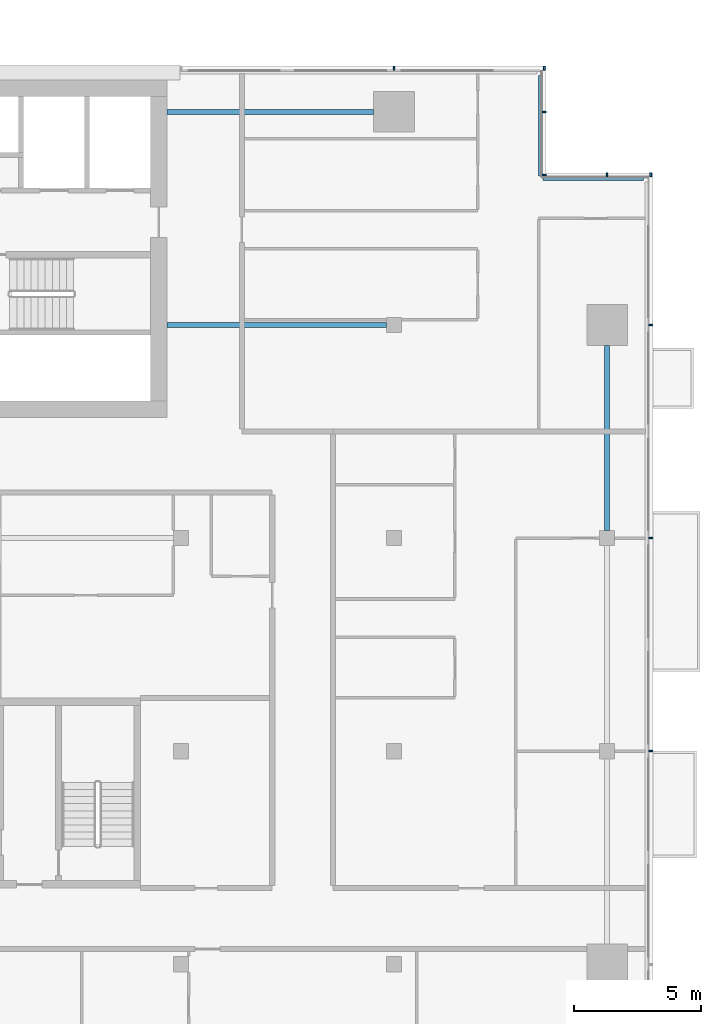
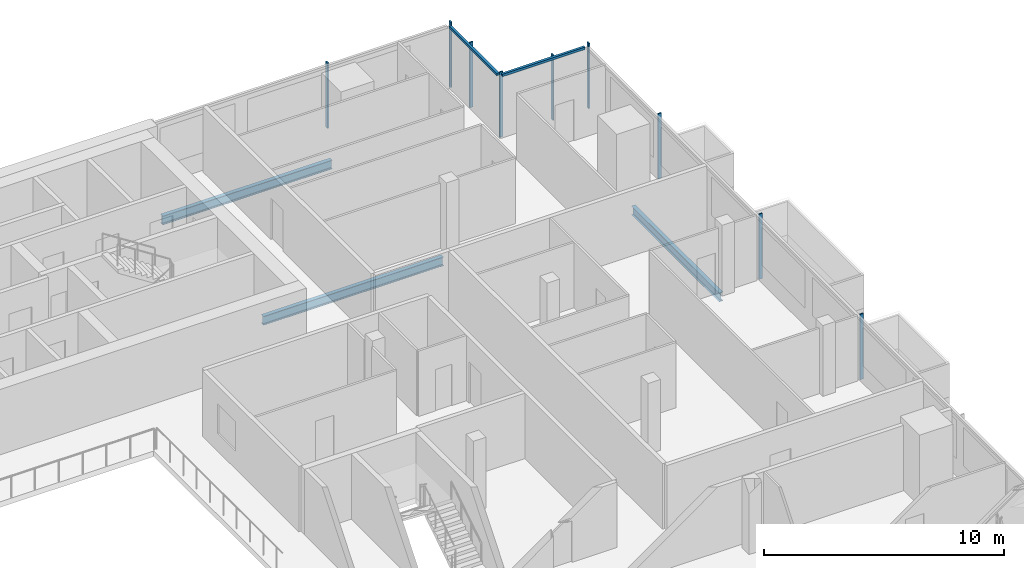
# One storey, part 13 of 30: 11 members, 3 beams, 4 elements without a shape of their own.
"""IFC4 building model written with IfcOpenShell, lengths in metres."""

import ifcopenshell
import ifcopenshell.guid

model = None  # the IFC model being written
_history = None  # IfcOwnerHistory: only IFC2X3 demands one
_inside = {}  # id of a spatial element -> (the spatial element, [elements in it])
_under = {}  # id of a project, library or spatial element -> (it, [spatial elements below it])
_declared = {}  # id of a project -> (the project, [libraries it declares])
_typed = {}  # id of a type object -> (the type object, [elements of that type])
_made_of = {}  # id of a material, layer set ... -> (it, [elements and type objects made of it])


def new_model(schema):
    """Start an empty IFC model of exactly this schema.

    Asked for "IFC4X3", IfcOpenShell would pick the latest addendum, in which some entities
    have other attributes; the version numbers below select the first issue.
    IFC2X3 requires an IfcOwnerHistory on every rooted entity: one is made here for all.
    """
    global model, _history
    if schema == "IFC4X3":
        model = ifcopenshell.file(schema_version=(4, 3, 0, 0))
    else:
        model = ifcopenshell.file(schema=schema)
    _inside.clear()
    _under.clear()
    _declared.clear()
    _typed.clear()
    _made_of.clear()
    _history = None
    if model.schema == "IFC2X3":
        org = make("IfcOrganization", Name="unknown")
        user = make(
            "IfcPersonAndOrganization",
            ThePerson=make("IfcPerson", FamilyName="unknown"),
            TheOrganization=org,
        )
        app = make(
            "IfcApplication",
            ApplicationDeveloper=org,
            Version="unknown",
            ApplicationFullName="unknown",
            ApplicationIdentifier="unknown",
        )
        _history = make(
            "IfcOwnerHistory",
            OwningUser=user,
            OwningApplication=app,
            ChangeAction="ADDED",
            CreationDate=0,
        )
    return model


def make(cls, **values):
    """One entity of the class cls with the attributes given. An attribute that is None is left unset."""
    return model.create_entity(
        cls, **{name: value for name, value in values.items() if value is not None}
    )


def rooted(cls, **values):
    """An entity with a GlobalId (a new one), such as an element, a storey or a relation."""
    return make(cls, GlobalId=ifcopenshell.guid.new(), OwnerHistory=_history, **values)


def si_unit(unit_type, name, prefix=None):
    """IfcSIUnit, for example si_unit("LENGTHUNIT", "METRE", prefix="MILLI")."""
    return make("IfcSIUnit", UnitType=unit_type, Prefix=prefix, Name=name)


def assignment(units):
    """IfcUnitAssignment: the units of a project."""
    return None if units is None else make("IfcUnitAssignment", Units=units)


def point(xyz):
    """IfcCartesianPoint."""
    return None if xyz is None else make("IfcCartesianPoint", Coordinates=xyz)


def direction(xyz):
    """IfcDirection."""
    return None if xyz is None else make("IfcDirection", DirectionRatios=xyz)


def frame(location, z_axis=None, x_axis=None):
    """IfcAxis2Placement3D, a coordinate frame: its origin and axes. An axis left out is left unset."""
    return make(
        "IfcAxis2Placement3D",
        Location=point(location),
        Axis=direction(z_axis),
        RefDirection=direction(x_axis),
    )


def frame_2d(location, x_axis=None):
    """IfcAxis2Placement2D, a coordinate frame in the plane: its origin and x axis."""
    return make(
        "IfcAxis2Placement2D", Location=point(location), RefDirection=direction(x_axis)
    )


def origin():
    """The frame at (0, 0, 0) with its axes left unset."""
    return frame((0.0, 0.0, 0.0))


def origin_2d():
    """The frame at (0, 0) in the plane with its x axis left unset."""
    return frame_2d((0.0, 0.0))


def place(relative_to, where):
    """IfcLocalPlacement: puts the frame where relative to a parent placement (None: the world)."""
    return make(
        "IfcLocalPlacement", PlacementRelTo=relative_to, RelativePlacement=where
    )


def context(
    kind, dimensions, precision=None, world=None, true_north=None, identifier=None
):
    """IfcGeometricRepresentationContext, for example the 3D "Model" context."""
    return make(
        "IfcGeometricRepresentationContext",
        ContextIdentifier=identifier,
        ContextType=kind,
        CoordinateSpaceDimension=dimensions,
        Precision=precision,
        WorldCoordinateSystem=world,
        TrueNorth=true_north,
    )


def subcontext(parent, identifier, kind, view, scale=None):
    """IfcGeometricRepresentationSubContext, for example "Body" below "Model"."""
    return make(
        "IfcGeometricRepresentationSubContext",
        ContextIdentifier=identifier,
        ContextType=kind,
        ParentContext=parent,
        TargetScale=scale,
        TargetView=view,
    )


def project(units=None, contexts=None):
    """IfcProject with its units and contexts."""
    return rooted(
        "IfcProject",
        Name="project",
        RepresentationContexts=contexts,
        UnitsInContext=assignment(units),
    )


def spatial(cls, under=None, at=None, **own):
    """A site, building, storey or space (cls), placed at a placement, below another one or the project."""
    s = rooted(cls, ObjectPlacement=at, **own)
    if under is not None:
        _under.setdefault(under.id(), (under, []))[1].append(s)
    return s


def profile(cls, at=None, kind="AREA", **sizes):
    """A parametric profile (cls). Its sizes go by their IFC names, for example OverallWidth=200.0."""
    return make(cls, ProfileType=kind, Position=at, **sizes)


def rectangle(**sizes):
    """IfcRectangleProfileDef."""
    return profile("IfcRectangleProfileDef", **sizes)


def i_section(**sizes):
    """IfcIShapeProfileDef."""
    return profile("IfcIShapeProfileDef", **sizes)


def extrude(swept, where, along, depth):
    """IfcExtrudedAreaSolid: the profile swept, set in the frame where, extruded along a direction by depth."""
    return make(
        "IfcExtrudedAreaSolid",
        SweptArea=swept,
        Position=where,
        ExtrudedDirection=direction(along),
        Depth=depth,
    )


def shape(context_of_items, identifier, shape_type, items):
    """IfcShapeRepresentation: the items that make up one representation, for example the "Body"."""
    return make(
        "IfcShapeRepresentation",
        ContextOfItems=context_of_items,
        RepresentationIdentifier=identifier,
        RepresentationType=shape_type,
        Items=items,
    )


def material(Name=None, Category=None):
    """IfcMaterial."""
    return make("IfcMaterial", Name=Name, Category=Category)


def material_profile(
    of_material, cross_section, Name=None, Category=None, Priority=None
):
    """IfcMaterialProfile: a cross section and its material."""
    return make(
        "IfcMaterialProfile",
        Name=Name,
        Material=of_material,
        Profile=cross_section,
        Priority=Priority,
        Category=Category,
    )


def profile_set(profiles, Name=None, composite=None):
    """IfcMaterialProfileSet."""
    return make(
        "IfcMaterialProfileSet",
        Name=Name,
        MaterialProfiles=profiles,
        CompositeProfile=composite,
    )


def made_of(thing, what):
    """Note that an element or type object is made of a material, layer set ...; save() writes the relation."""
    if what is not None:
        _made_of.setdefault(what.id(), (what, []))[1].append(thing)
    return thing


def type_object(cls, material=None, **own):
    """A type object (cls), such as IfcWallType, which elements share."""
    return made_of(rooted(cls, **own), material)


def element(
    cls,
    number,
    at=None,
    inside=None,
    cuts=None,
    type_object=None,
    material=None,
    context=None,
    identifier="Body",
    shape_type=None,
    held_by="IfcProductDefinitionShape",
    body=None,
    shapes=None,
    **own,
):
    """One element of the class cls, such as IfcWall. Its Tag is "e" and its number.

    at: its placement. inside: the storey or other place that contains it. cuts: it is an
    opening in that element (IfcRelVoidsElement). A single representation is given by context,
    identifier, shape_type and body (its items); several are given by shapes. held_by: the class
    of the entity that holds the representations. save() writes the other relations.
    """
    e = rooted(cls, Tag="e%d" % number, ObjectPlacement=at, **own)
    if body is not None:
        shapes = [shape(context, identifier, shape_type, body)]
    if shapes is not None:
        e.Representation = make(held_by, Representations=shapes)
    if inside is not None:
        _inside.setdefault(inside.id(), (inside, []))[1].append(e)
    if cuts is not None:
        rooted(
            "IfcRelVoidsElement", RelatingBuildingElement=cuts, RelatedOpeningElement=e
        )
    if type_object is not None:
        _typed.setdefault(type_object.id(), (type_object, []))[1].append(e)
    return made_of(e, material)


def aggregate(whole, parts):
    """IfcRelAggregates: a whole, such as a stair, and the parts it consists of."""
    return rooted("IfcRelAggregates", RelatingObject=whole, RelatedObjects=parts)


def save(model, path):
    """Write the relations noted so far, then the file.

    IfcRelAggregates (storeys below a building ...), IfcRelContainedInSpatialStructure (elements
    in a storey), IfcRelDefinesByType, IfcRelAssociatesMaterial and IfcRelDeclares: one each for
    every whole, place, type object, material and project.
    """
    for whole, parts in _under.values():
        aggregate(whole, parts)
    for where, things in _inside.values():
        rooted(
            "IfcRelContainedInSpatialStructure",
            RelatedElements=things,
            RelatingStructure=where,
        )
    for kind, things in _typed.values():
        rooted("IfcRelDefinesByType", RelatedObjects=things, RelatingType=kind)
    for what, things in _made_of.values():
        rooted("IfcRelAssociatesMaterial", RelatedObjects=things, RelatingMaterial=what)
    for by, libraries in _declared.values():
        rooted("IfcRelDeclares", RelatingContext=by, RelatedDefinitions=libraries)
    model.write(path)


model = new_model("IFC4")

# Units and contexts
model_context = context("Model", 3, precision=1e-05, world=origin(), true_north=direction((0.0, 1.0)))
body_context = subcontext(model_context, "Body", "Model", "MODEL_VIEW")
ifc_project = project(units=[si_unit("LENGTHUNIT", "METRE"), si_unit("AREAUNIT", "SQUARE_METRE"), si_unit("VOLUMEUNIT", "CUBIC_METRE"), si_unit("PLANEANGLEUNIT", "RADIAN"), si_unit("MASSUNIT", "GRAM", prefix="KILO")], contexts=[model_context])

# Site, building, storey
site_placement = place(None, origin())
site = spatial("IfcSite", under=ifc_project, at=site_placement, CompositionType="ELEMENT")
building_placement = place(site_placement, origin())
building = spatial("IfcBuilding", under=site, at=building_placement, Name="Saffron Gate Tower", CompositionType="ELEMENT")
storey_placement = place(building_placement, frame((0.0, 0.0, 216.300048828125)))
storey = spatial("IfcBuildingStorey", under=building, at=storey_placement, Name="L52", CompositionType="ELEMENT", Elevation=216.300048828125)

# Beams
ifc_material_1 = material(Name="Structural steel S355", Category="steel")
ifc_material_profile_1 = material_profile(ifc_material_1, i_section(OverallWidth=0.18994140625, OverallDepth=0.449951171875, WebThickness=0.009521484375, FlangeThickness=0.0146484375, FilletRadius=0.02099609375, at=origin_2d()))
ifc_profile_set_1 = profile_set([ifc_material_profile_1], Name="Structural steel S355")
beam_type_1 = type_object("IfcBeamType", Name="B6 IPE 450", PredefinedType="BEAM", material=ifc_profile_set_1)
beam_1_placement = place(storey_placement, frame((116.699951171875, 65.39990234375, -0.505126953125), z_axis=(-1.0, 0.0, 0.0), x_axis=(0.0, -1.0, 0.0)))
element("IfcBeam", 1, at=beam_1_placement, inside=storey, type_object=beam_type_1, Name="B6 CORE TIE BEAM", PredefinedType="BEAM", context=body_context, shape_type="SweptSolid", body=[
    extrude(i_section(OverallWidth=0.18994140625, OverallDepth=0.449951171875, WebThickness=0.009521484375, FlangeThickness=0.0146484375, FilletRadius=0.02099609375, at=origin_2d()), origin(), (0.0, 0.0, 1.0), 8.64990234375),
])
beam_2_placement = place(storey_placement, frame((116.199951171875, 73.800048828125, -0.505126953125), z_axis=(-1.0, 0.0, 0.0), x_axis=(0.0, -1.0, 0.0)))
element("IfcBeam", 2, at=beam_2_placement, inside=storey, type_object=beam_type_1, Name="B6 CORE TIE BEAM", PredefinedType="BEAM", context=body_context, shape_type="SweptSolid", body=[
    extrude(i_section(OverallWidth=0.18994140625, OverallDepth=0.449951171875, WebThickness=0.009521484375, FlangeThickness=0.0146484375, FilletRadius=0.02099609375, at=origin_2d()), origin(), (0.0, 0.0, 1.0), 8.14990234375),
])
ifc_material_profile_2 = material_profile(ifc_material_1, i_section(OverallWidth=0.18994140625, OverallDepth=0.449951171875, WebThickness=0.009521484375, FlangeThickness=0.0146484375, FilletRadius=0.02099609375, at=origin_2d()))
ifc_profile_set_2 = profile_set([ifc_material_profile_2], Name="Structural steel S355")
beam_type_2 = type_object("IfcBeamType", Name="B7 IPE 450", PredefinedType="SPANDREL", material=ifc_profile_set_2)
beam_3_placement = place(storey_placement, frame((125.39990234375, 57.300048828125, -0.505126953125), z_axis=(0.0, 1.0, 0.0), x_axis=(-1.0, 0.0, 0.0)))
element("IfcBeam", 3, at=beam_3_placement, inside=storey, type_object=beam_type_2, Name="B7 SPANDREL BEAM", PredefinedType="SPANDREL", context=body_context, shape_type="SweptSolid", body=[
    extrude(i_section(OverallWidth=0.18994140625, OverallDepth=0.449951171875, WebThickness=0.009521484375, FlangeThickness=0.0146484375, FilletRadius=0.02099609375, at=origin_2d()), origin(), (0.0, 0.0, 1.0), 7.300048828125),
])

# Curtain wall, members
ifc_material_2 = material(Name="Aluminium, bronze anodised", Category="aluminium")
curtain_wall_type_1 = type_object("IfcCurtainWallType", Name="CWS2 curtain wall side facades", PredefinedType="NOTDEFINED", material=ifc_material_2)
curtain_wall_1_placement = place(storey_placement, origin())
curtain_wall_1 = element("IfcCurtainWall", 4, at=curtain_wall_1_placement, inside=storey, type_object=curtain_wall_type_1, Name="CWS2 run 4", PredefinedType="NOTDEFINED")
ifc_material_profile_3 = material_profile(ifc_material_2, rectangle(XDim=0.159912109375, YDim=0.06005859375, at=origin_2d()))
ifc_profile_set_3 = profile_set([ifc_material_profile_3], Name="Aluminium, bronze anodised")
member_type_1 = type_object("IfcMemberType", Name="CWS2 mullion 60x160", PredefinedType="MULLION", material=ifc_profile_set_3)
member_1_placement = place(storey_placement, frame((127.1201171875, 48.60009765625, 0.0), z_axis=(0.0, 0.0, 1.0), x_axis=(-1.0, 0.0, 0.0)))
member_1 = element("IfcMember", 5, at=member_1_placement, type_object=member_type_1, Name="CWS2 mullion 3", PredefinedType="MULLION", context=body_context, shape_type="SweptSolid", body=[
    extrude(rectangle(XDim=0.159912109375, YDim=0.06005859375, at=origin_2d()), origin(), (0.0, 0.0, 1.0), 3.320068359375),
])
member_2_placement = place(storey_placement, frame((127.1201171875, 57.0, 0.0), z_axis=(0.0, 0.0, 1.0), x_axis=(-1.0, 0.0, 0.0)))
member_2 = element("IfcMember", 6, at=member_2_placement, type_object=member_type_1, Name="CWS2 mullion 4", PredefinedType="MULLION", context=body_context, shape_type="SweptSolid", body=[
    extrude(rectangle(XDim=0.159912109375, YDim=0.06005859375, at=origin_2d()), origin(), (0.0, 0.0, 1.0), 3.320068359375),
])
member_3_placement = place(storey_placement, frame((127.1201171875, 65.39990234375, 0.0), z_axis=(0.0, 0.0, 1.0), x_axis=(-1.0, 0.0, 0.0)))
member_3 = element("IfcMember", 7, at=member_3_placement, type_object=member_type_1, Name="CWS2 mullion 5", PredefinedType="MULLION", context=body_context, shape_type="SweptSolid", body=[
    extrude(rectangle(XDim=0.159912109375, YDim=0.06005859375, at=origin_2d()), origin(), (0.0, 0.0, 1.0), 3.320068359375),
])
aggregate(curtain_wall_1, [member_1, member_2, member_3])

curtain_wall_type_2 = type_object("IfcCurtainWallType", Name="CWS3 curtain wall rear facade", PredefinedType="NOTDEFINED", material=ifc_material_2)
curtain_wall_2_placement = place(storey_placement, origin())
curtain_wall_2 = element("IfcCurtainWall", 8, at=curtain_wall_2_placement, inside=storey, type_object=curtain_wall_type_2, Name="CWS3 run 7", PredefinedType="NOTDEFINED")
ifc_material_profile_4 = material_profile(ifc_material_2, rectangle(XDim=0.159912109375, YDim=0.070068359375, at=origin_2d()))
ifc_profile_set_4 = profile_set([ifc_material_profile_4], Name="Aluminium, bronze anodised")
member_type_2 = type_object("IfcMemberType", Name="CWS3 mullion 70x160", PredefinedType="MULLION", material=ifc_profile_set_4)
member_4_placement = place(storey_placement, frame((122.919921875, 75.52001953125, 0.0), z_axis=(0.0, 0.0, 1.0), x_axis=(0.0, -1.0, 0.0)))
member_4 = element("IfcMember", 9, at=member_4_placement, type_object=member_type_2, Name="CWS3 mullion 1", PredefinedType="MULLION", context=body_context, shape_type="SweptSolid", body=[
    extrude(rectangle(XDim=0.159912109375, YDim=0.070068359375, at=origin_2d()), origin(), (0.0, 0.0, 1.0), 3.320068359375),
])
member_5_placement = place(storey_placement, frame((117.0, 75.52001953125, 0.0), z_axis=(0.0, 0.0, 1.0), x_axis=(0.0, -1.0, 0.0)))
member_5 = element("IfcMember", 10, at=member_5_placement, type_object=member_type_2, Name="CWS3 mullion 2", PredefinedType="MULLION", context=body_context, shape_type="SweptSolid", body=[
    extrude(rectangle(XDim=0.159912109375, YDim=0.070068359375, at=origin_2d()), origin(), (0.0, 0.0, 1.0), 3.320068359375),
])
aggregate(curtain_wall_2, [member_4, member_5])

# Curtain wall, member
curtain_wall_type_3 = type_object("IfcCurtainWallType", Name="CWS4 curtain wall corner returns", PredefinedType="NOTDEFINED", material=ifc_material_2)
curtain_wall_3_placement = place(storey_placement, origin())
curtain_wall_3 = element("IfcCurtainWall", 11, at=curtain_wall_3_placement, inside=storey, type_object=curtain_wall_type_3, Name="CWS4 run 5", PredefinedType="NOTDEFINED")
ifc_material_profile_5 = material_profile(ifc_material_2, rectangle(XDim=0.1201171875, YDim=0.1201171875, at=origin_2d()))
ifc_profile_set_5 = profile_set([ifc_material_profile_5], Name="Aluminium, bronze anodised")
member_type_3 = type_object("IfcMemberType", Name="CWS4 head transom", PredefinedType="USERDEFINED", material=ifc_profile_set_5)
member_6_placement = place(storey_placement, frame((126.83203125, 71.152099609375, 3.260009765625), z_axis=(-1.0, 0.0, 0.0), x_axis=(0.0, -1.0, 0.0)))
member_6 = element("IfcMember", 12, at=member_6_placement, type_object=member_type_3, Name="CWS4 head transom", ObjectType="TRANSOM", PredefinedType="USERDEFINED", context=body_context, shape_type="SweptSolid", body=[
    extrude(rectangle(XDim=0.1201171875, YDim=0.1201171875, at=origin_2d()), origin(), (0.0, 0.0, 1.0), 3.9599609375),
])

curtain_wall_4_placement = place(storey_placement, origin())
curtain_wall_4 = element("IfcCurtainWall", 13, at=curtain_wall_4_placement, inside=storey, type_object=curtain_wall_type_3, Name="CWS4 run 6", PredefinedType="NOTDEFINED")
member_7_placement = place(storey_placement, frame((122.751953125, 71.27197265625, 3.260009765625), z_axis=(0.0, 1.0, 0.0), x_axis=(-1.0, 0.0, 0.0)))
member_7 = element("IfcMember", 14, at=member_7_placement, type_object=member_type_3, Name="CWS4 head transom", ObjectType="TRANSOM", PredefinedType="USERDEFINED", context=body_context, shape_type="SweptSolid", body=[
    extrude(rectangle(XDim=0.1201171875, YDim=0.1201171875, at=origin_2d()), origin(), (0.0, 0.0, 1.0), 3.9599609375),
])

# Member
ifc_material_profile_6 = material_profile(ifc_material_2, rectangle(XDim=0.159912109375, YDim=0.06005859375, at=origin_2d()))
ifc_profile_set_6 = profile_set([ifc_material_profile_6], Name="Aluminium, bronze anodised")
member_type_4 = type_object("IfcMemberType", Name="CWS4 mullion 60x160", PredefinedType="MULLION", material=ifc_profile_set_6)
member_8_placement = place(storey_placement, frame((127.1201171875, 71.320068359375, 0.0), z_axis=(0.0, 0.0, 1.0), x_axis=(0.0, -1.0, 0.0)))
member_8 = element("IfcMember", 15, at=member_8_placement, type_object=member_type_4, Name="CWS4 mullion 1", PredefinedType="MULLION", context=body_context, shape_type="SweptSolid", body=[
    extrude(rectangle(XDim=0.159912109375, YDim=0.06005859375, at=origin_2d()), origin(), (0.0, 0.0, 1.0), 3.320068359375),
])

member_9_placement = place(storey_placement, frame((125.39990234375, 71.320068359375, 0.0), z_axis=(0.0, 0.0, 1.0), x_axis=(0.0, -1.0, 0.0)))
member_9 = element("IfcMember", 16, at=member_9_placement, type_object=member_type_4, Name="CWS4 mullion 2", PredefinedType="MULLION", context=body_context, shape_type="SweptSolid", body=[
    extrude(rectangle(XDim=0.159912109375, YDim=0.06005859375, at=origin_2d()), origin(), (0.0, 0.0, 1.0), 3.320068359375),
])

aggregate(curtain_wall_3, [member_8, member_9, member_6])

member_10_placement = place(storey_placement, frame((122.919921875, 71.320068359375, 0.0), z_axis=(0.0, 0.0, 1.0), x_axis=(-1.0, 0.0, 0.0)))
member_10 = element("IfcMember", 17, at=member_10_placement, type_object=member_type_4, Name="CWS4 mullion 1", PredefinedType="MULLION", context=body_context, shape_type="SweptSolid", body=[
    extrude(rectangle(XDim=0.159912109375, YDim=0.06005859375, at=origin_2d()), origin(), (0.0, 0.0, 1.0), 3.320068359375),
])

member_11_placement = place(storey_placement, frame((122.919921875, 73.800048828125, 0.0), z_axis=(0.0, 0.0, 1.0), x_axis=(-1.0, 0.0, 0.0)))
member_11 = element("IfcMember", 18, at=member_11_placement, type_object=member_type_4, Name="CWS4 mullion 2", PredefinedType="MULLION", context=body_context, shape_type="SweptSolid", body=[
    extrude(rectangle(XDim=0.159912109375, YDim=0.06005859375, at=origin_2d()), origin(), (0.0, 0.0, 1.0), 3.320068359375),
])

aggregate(curtain_wall_4, [member_10, member_11, member_7])

save(model, "model.ifc")
